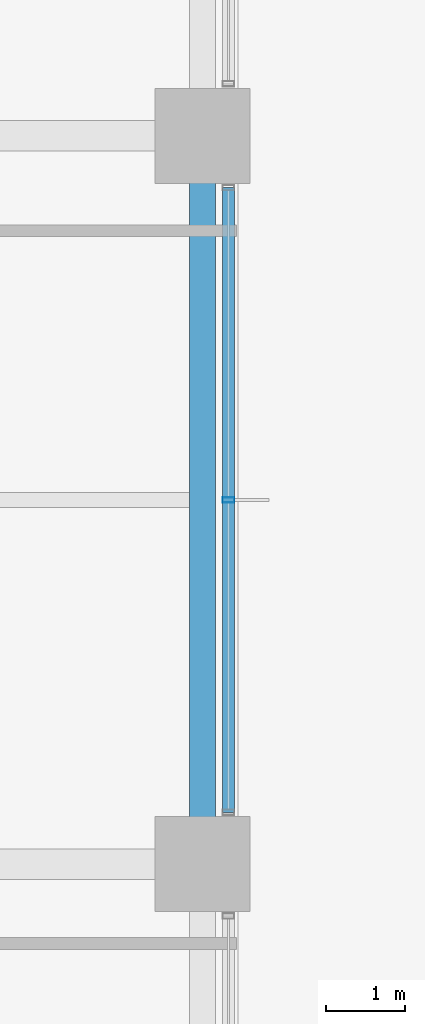
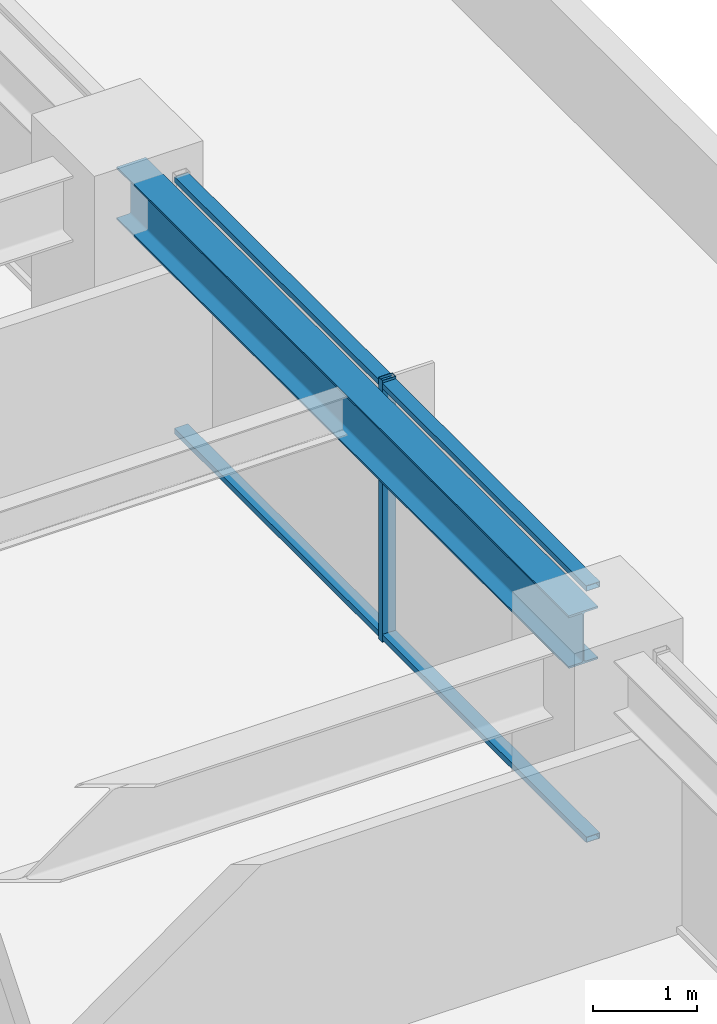
# One storey, part 15 of 36: 3 members, 1 beam, 1 element without a shape of its own.
"""IFC4 building model written with IfcOpenShell, lengths in metres."""

from ifc_helpers import new_model, si_unit, direction, frame, origin, origin_2d, place, context, subcontext, project, spatial, hollow_rectangle, i_section, extrude, material, material_profile, profile_set, type_object, element, aggregate, save


model = new_model("IFC4")

# Units and contexts
model_context = context("Model", 3, precision=1e-05, world=origin(), true_north=direction((0.0, 1.0)))
body_context = subcontext(model_context, "Body", "Model", "MODEL_VIEW")
ifc_project = project(units=[si_unit("LENGTHUNIT", "METRE"), si_unit("AREAUNIT", "SQUARE_METRE"), si_unit("VOLUMEUNIT", "CUBIC_METRE"), si_unit("PLANEANGLEUNIT", "RADIAN"), si_unit("MASSUNIT", "GRAM", prefix="KILO")], contexts=[model_context])

# Site, building, storey
site_placement = place(None, origin())
site = spatial("IfcSite", under=ifc_project, at=site_placement, CompositionType="ELEMENT")
building_placement = place(site_placement, origin())
building = spatial("IfcBuilding", under=site, at=building_placement, Name="Kolvaren Belvedere", CompositionType="ELEMENT")
storey_placement = place(building_placement, frame((0.0, 0.0, 23.800048828125)))
storey = spatial("IfcBuildingStorey", under=building, at=storey_placement, Name="L06", CompositionType="ELEMENT", Elevation=23.800048828125)

# Beam
ifc_material_1 = material(Name="Structural steel ASTM A992 Grade 50", Category="steel")
ifc_material_profile_1 = material_profile(ifc_material_1, i_section(OverallWidth=0.324951171875, OverallDepth=0.615966796875, WebThickness=0.013916015625, FlangeThickness=0.021484375, FilletRadius=0.02001953125, at=origin_2d()), Name="W24X117")
ifc_profile_set_1 = profile_set([ifc_material_profile_1], Name="Structural steel ASTM A992 Grade 50")
beam_type = type_object("IfcBeamType", Name="BM-SPAN-W24X117", PredefinedType="SPANDREL", material=ifc_profile_set_1)
beam_placement = place(storey_placement, frame((21.550048828125, -4.330078125, 2.751953125), z_axis=(0.0, 1.0, 0.0), x_axis=(-1.0, 0.0, 0.0)))
element("IfcBeam", 1, at=beam_placement, inside=storey, type_object=beam_type, Name="L06 Perimeter Spandrel E2-E3", PredefinedType="SPANDREL", context=body_context, shape_type="SweptSolid", body=[
    extrude(i_section(OverallWidth=0.324951171875, OverallDepth=0.615966796875, WebThickness=0.013916015625, FlangeThickness=0.021484375, FilletRadius=0.02001953125, at=origin_2d()), origin(), (0.0, 0.0, 1.0), 8.66015625),
])

# Curtain wall, members
ifc_material_2 = material(Name="Anodised pale-metal aluminium AA 6063-T6", Category="aluminium")
curtain_wall_type = type_object("IfcCurtainWallType", Name="CW-Z1-LOW", PredefinedType="NOTDEFINED", material=ifc_material_2)
curtain_wall_placement = place(storey_placement, origin())
curtain_wall = element("IfcCurtainWall", 2, at=curtain_wall_placement, inside=storey, type_object=curtain_wall_type, Name="L06 Unitised Curtain Wall FCW-L06-E-B2", PredefinedType="NOTDEFINED")
ifc_material_3 = material(Name="Anodised pale-metal aluminium AA 6063-T6", Category="aluminium")
ifc_material_profile_2 = material_profile(ifc_material_3, hollow_rectangle(XDim=0.070068359375, YDim=0.14990234375, WallThickness=0.004150390625, at=origin_2d()), Name="ALU-MUL-150X70")
ifc_profile_set_2 = profile_set([ifc_material_profile_2], Name="Anodised pale-metal aluminium AA 6063-T6")
member_type_1 = type_object("IfcMemberType", Name="CW-MUL-150", PredefinedType="MULLION", material=ifc_profile_set_2)
member_1_placement = place(storey_placement, frame((21.8798828125, 0.0, 0.0), z_axis=(0.0, 0.0, 1.0), x_axis=(0.0, 1.0, 0.0)))
member_1 = element("IfcMember", 3, at=member_1_placement, type_object=member_type_1, Name="FCW-L06-E-B2 Unitised Mullion 2", PredefinedType="MULLION", context=body_context, shape_type="SweptSolid", body=[
    extrude(hollow_rectangle(XDim=0.070068359375, YDim=0.14990234375, WallThickness=0.004150390625, at=origin_2d()), origin(), (0.0, 0.0, 1.0), 3.06005859375),
])
ifc_material_4 = material(Name="Anodised pale-metal aluminium AA 6063-T6", Category="aluminium")
ifc_material_profile_3 = material_profile(ifc_material_4, hollow_rectangle(XDim=0.06494140625, YDim=0.14990234375, WallThickness=0.00390625, at=origin_2d()), Name="ALU-TRN-150X65")
ifc_profile_set_3 = profile_set([ifc_material_profile_3], Name="Anodised pale-metal aluminium AA 6063-T6")
member_type_2 = type_object("IfcMemberType", Name="CW-TRN-150", PredefinedType="USERDEFINED", material=ifc_profile_set_3)
member_2_placement = place(storey_placement, frame((21.8798828125, 3.945068359375, 0.06005859375), z_axis=(0.0, -1.0, 0.0), x_axis=(0.0, 0.0, 1.0)))
member_2 = element("IfcMember", 4, at=member_2_placement, type_object=member_type_2, Name="FCW-L06-E-B2 Sill Transom", ObjectType="TRANSOM", PredefinedType="USERDEFINED", context=body_context, shape_type="SweptSolid", body=[
    extrude(hollow_rectangle(XDim=0.06494140625, YDim=0.14990234375, WallThickness=0.00390625, at=origin_2d()), origin(), (0.0, 0.0, 1.0), 7.89013671875),
])
member_3_placement = place(storey_placement, frame((21.8798828125, 3.945068359375, 3.0), z_axis=(0.0, -1.0, 0.0), x_axis=(0.0, 0.0, 1.0)))
member_3 = element("IfcMember", 5, at=member_3_placement, type_object=member_type_2, Name="FCW-L06-E-B2 Head Transom", ObjectType="TRANSOM", PredefinedType="USERDEFINED", context=body_context, shape_type="SweptSolid", body=[
    extrude(hollow_rectangle(XDim=0.06494140625, YDim=0.14990234375, WallThickness=0.00390625, at=origin_2d()), origin(), (0.0, 0.0, 1.0), 7.89013671875),
])
aggregate(curtain_wall, [member_1, member_2, member_3])

save(model, "model.ifc")
